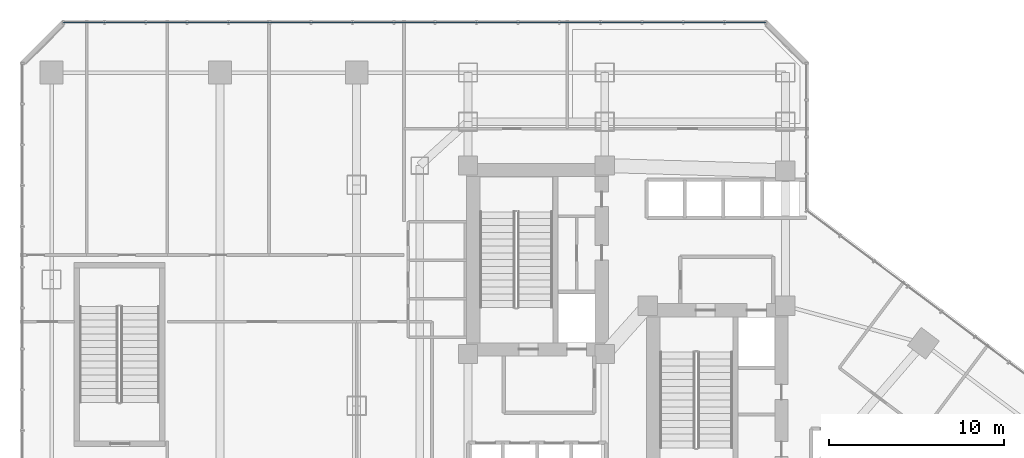
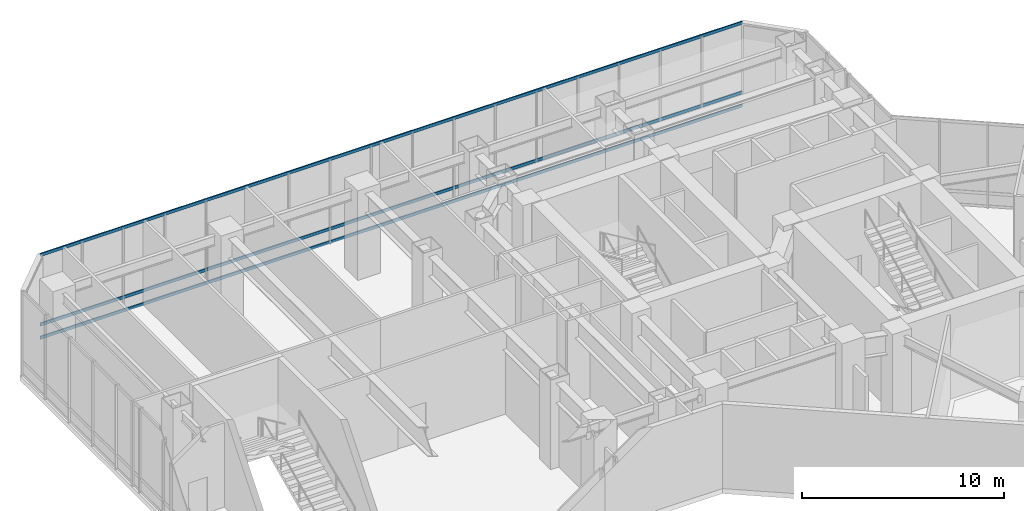
# One storey, part 17 of 35: 3 members, 1 element without a shape of its own.
"""IFC4 building model written with IfcOpenShell, lengths in metres."""

from ifc_helpers import new_model, si_unit, direction, frame, origin, origin_2d, place, context, subcontext, project, spatial, hollow_rectangle, extrude, material, layer, layer_set, material_profile, profile_set, type_object, element, aggregate, save


model = new_model("IFC4")

# Units and contexts
model_context = context("Model", 3, precision=1e-05, world=origin(), true_north=direction((0.0, 1.0)))
body_context = subcontext(model_context, "Body", "Model", "MODEL_VIEW")
ifc_project = project(units=[si_unit("LENGTHUNIT", "METRE"), si_unit("AREAUNIT", "SQUARE_METRE"), si_unit("VOLUMEUNIT", "CUBIC_METRE"), si_unit("PLANEANGLEUNIT", "RADIAN"), si_unit("MASSUNIT", "GRAM", prefix="KILO")], contexts=[model_context])

# Site, building, storey
site_placement = place(None, origin())
site = spatial("IfcSite", under=ifc_project, at=site_placement, CompositionType="ELEMENT")
building_placement = place(site_placement, origin())
building = spatial("IfcBuilding", under=site, at=building_placement, Name="Hatsunagi Terrace Concourse", CompositionType="ELEMENT")
storey_placement = place(building_placement, frame((0.0, 0.0, 16.199951171875)))
storey = spatial("IfcBuildingStorey", under=building, at=storey_placement, Name="L04", CompositionType="ELEMENT", Elevation=16.199951171875)

# Curtain wall, members
ifc_material_1 = material(Name="Anodised Aluminium Alloy 6063-T5", Category="aluminium")
ifc_layer = layer(ifc_material_1, 0.199951171875)
ifc_layer_set = layer_set([ifc_layer], Name="PodiumStorefront_CW01")
curtain_wall_type = type_object("IfcCurtainWallType", Name="PodiumStorefront_CW01", PredefinedType="NOTDEFINED", material=ifc_layer_set)
curtain_wall_placement = place(storey_placement, origin())
curtain_wall = element("IfcCurtainWall", 1, at=curtain_wall_placement, inside=storey, type_object=curtain_wall_type, Name="Unitised Curtain Wall CW-01 CW-L04-12", PredefinedType="NOTDEFINED")
ifc_material_2 = material(Name="Anodised Aluminium Alloy 6063-T5", Category="aluminium")
ifc_material_profile = material_profile(ifc_material_2, hollow_rectangle(XDim=0.070068359375, YDim=0.179931640625, WallThickness=0.00390625, at=origin_2d()), Name="ALU-TRN-180x70x4")
ifc_profile_set = profile_set([ifc_material_profile], Name="Anodised Aluminium Alloy 6063-T5")
member_type = type_object("IfcMemberType", Name="CurtainWallTransom_Heavy_180x70", PredefinedType="USERDEFINED", material=ifc_profile_set)
member_1_placement = place(storey_placement, frame((2.4580078125, 51.4599609375, 0.050048828125), z_axis=(1.0, 0.0, 0.0), x_axis=(0.0, 1.0, 0.0)))
member_1 = element("IfcMember", 2, at=member_1_placement, type_object=member_type, Name="Curtain Wall Transom TRN-01", ObjectType="TRANSOM", PredefinedType="USERDEFINED", context=body_context, shape_type="SweptSolid", body=[
    extrude(hollow_rectangle(XDim=0.070068359375, YDim=0.179931640625, WallThickness=0.00390625, at=origin_2d()), origin(), (0.0, 0.0, 1.0), 40.083984375),
])
member_2_placement = place(storey_placement, frame((2.4580078125, 51.4599609375, 0.85009765625), z_axis=(1.0, 0.0, 0.0), x_axis=(0.0, 1.0, 0.0)))
member_2 = element("IfcMember", 3, at=member_2_placement, type_object=member_type, Name="Curtain Wall Transom TRN-01", ObjectType="TRANSOM", PredefinedType="USERDEFINED", context=body_context, shape_type="SweptSolid", body=[
    extrude(hollow_rectangle(XDim=0.070068359375, YDim=0.179931640625, WallThickness=0.00390625, at=origin_2d()), origin(), (0.0, 0.0, 1.0), 40.083984375),
])
member_3_placement = place(storey_placement, frame((2.4580078125, 51.4599609375, 5.050048828125), z_axis=(1.0, 0.0, 0.0), x_axis=(0.0, 1.0, 0.0)))
member_3 = element("IfcMember", 4, at=member_3_placement, type_object=member_type, Name="Curtain Wall Transom TRN-01", ObjectType="TRANSOM", PredefinedType="USERDEFINED", context=body_context, shape_type="SweptSolid", body=[
    extrude(hollow_rectangle(XDim=0.070068359375, YDim=0.179931640625, WallThickness=0.00390625, at=origin_2d()), origin(), (0.0, 0.0, 1.0), 40.083984375),
])
aggregate(curtain_wall, [member_1, member_2, member_3])

save(model, "model.ifc")
